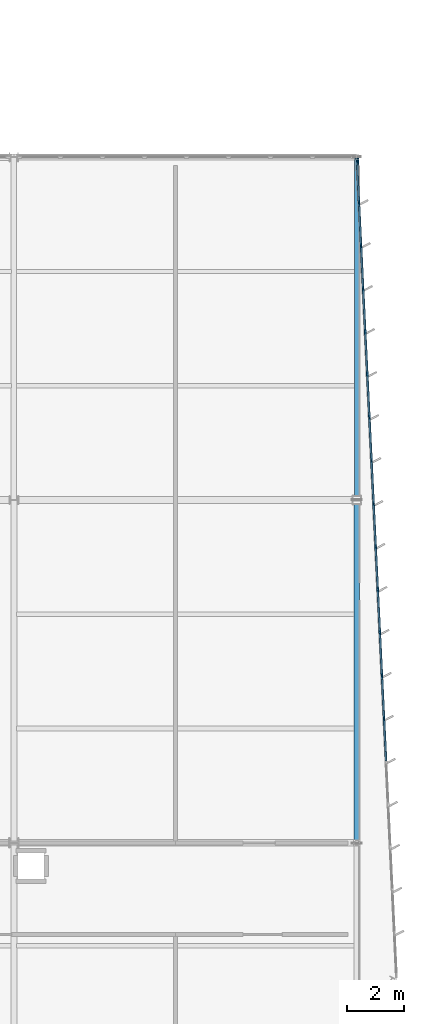
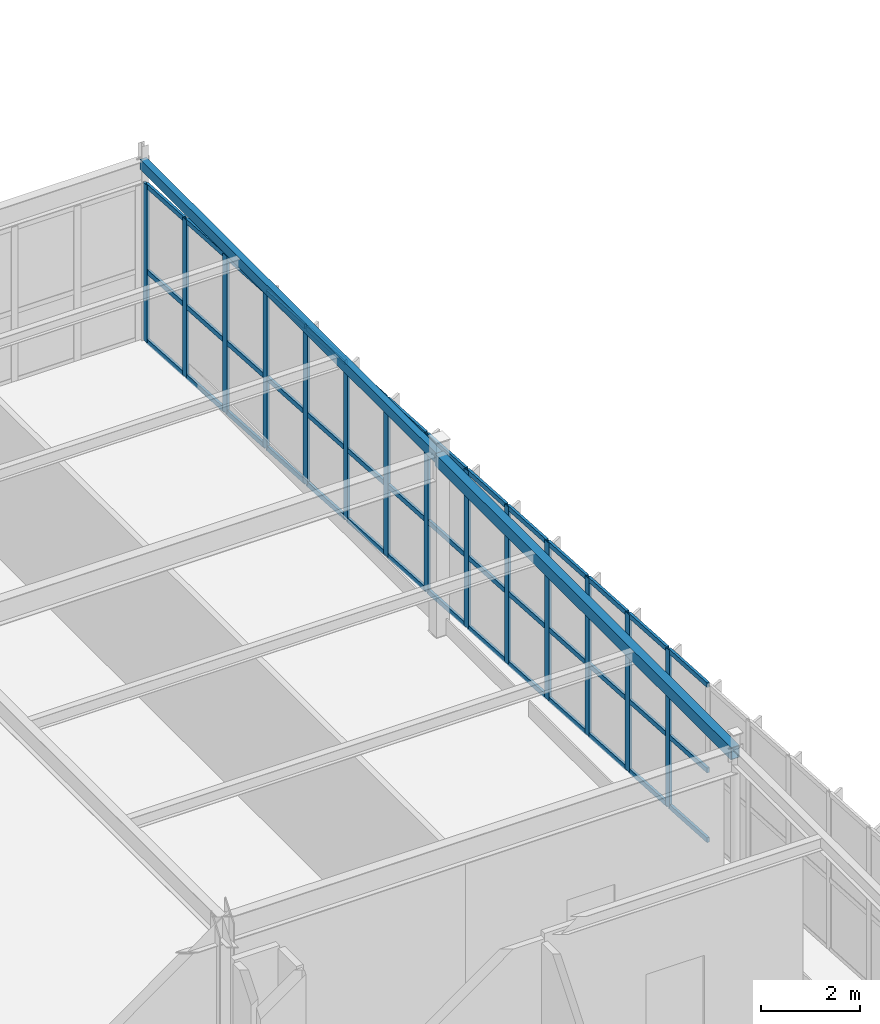
# One storey, part 119 of 226: 56 members, 2 beams, 1 element without a shape of its own.
"""IFC4 building model written with IfcOpenShell, lengths in metres."""

from ifc_helpers import new_model, si_unit, direction, frame, origin, origin_2d, place, context, subcontext, project, spatial, rectangle, hollow_rectangle, extrude, material, layer, layer_set, material_profile, profile_set, type_object, element, aggregate, save


model = new_model("IFC4")

# Units and contexts
model_context = context("Model", 3, precision=1e-05, world=origin(), true_north=direction((0.0, 1.0)))
body_context = subcontext(model_context, "Body", "Model", "MODEL_VIEW")
ifc_project = project(units=[si_unit("LENGTHUNIT", "METRE"), si_unit("AREAUNIT", "SQUARE_METRE"), si_unit("VOLUMEUNIT", "CUBIC_METRE"), si_unit("PLANEANGLEUNIT", "RADIAN"), si_unit("MASSUNIT", "GRAM", prefix="KILO")], contexts=[model_context])

# Site, building, storey
site_placement = place(None, origin())
site = spatial("IfcSite", under=ifc_project, at=site_placement, CompositionType="ELEMENT")
building_placement = place(site_placement, origin())
building = spatial("IfcBuilding", under=site, at=building_placement, Name="Tarnwether General Hospital", CompositionType="ELEMENT")
storey_placement = place(building_placement, frame((0.0, 0.0, 4.800048828125)))
storey = spatial("IfcBuildingStorey", under=building, at=storey_placement, Name="L01", CompositionType="ELEMENT", Elevation=4.800048828125)

# Beams
ifc_material_1 = material(Name="Steel Grade C350L0 (350 MPa)", Category="steel")
ifc_material_profile_1 = material_profile(ifc_material_1, hollow_rectangle(XDim=0.199951171875, YDim=0.300048828125, WallThickness=0.012451171875, at=origin_2d()), Name="RHS300x200x12.5")
ifc_profile_set_1 = profile_set([ifc_material_profile_1], Name="Steel Grade C350L0 (350 MPa)")
beam_type_1 = type_object("IfcBeamType", Name="BM-SP3", PredefinedType="SPANDREL", material=ifc_profile_set_1)
beam_1_placement = place(storey_placement, frame((192.0, 21.60009765625, 4.294921875), z_axis=(0.0, 1.0, 0.0), x_axis=(-1.0, 0.0, 0.0)))
element("IfcBeam", 1, at=beam_1_placement, inside=storey, type_object=beam_type_1, Name="Primary Girder BMG-L01-19200_2160-19200_3360-1285", PredefinedType="SPANDREL", context=body_context, shape_type="SweptSolid", body=[
    extrude(hollow_rectangle(XDim=0.199951171875, YDim=0.300048828125, WallThickness=0.012451171875, at=origin_2d()), origin(), (0.0, 0.0, 1.0), 12.0),
])
ifc_material_2 = material(Name="Steel Grade C350L0 (350 MPa)", Category="steel")
ifc_material_profile_2 = material_profile(ifc_material_2, hollow_rectangle(XDim=0.14990234375, YDim=0.25, WallThickness=0.010009765625, at=origin_2d()), Name="RHS250x150x10")
ifc_profile_set_2 = profile_set([ifc_material_profile_2], Name="Steel Grade C350L0 (350 MPa)")
beam_type_2 = type_object("IfcBeamType", Name="BM-SP4", PredefinedType="SPANDREL", material=ifc_profile_set_2)
beam_2_placement = place(storey_placement, frame((192.0, 33.60009765625, 4.320068359375), z_axis=(0.0, 1.0, 0.0), x_axis=(-1.0, 0.0, 0.0)))
element("IfcBeam", 2, at=beam_2_placement, inside=storey, type_object=beam_type_2, Name="Primary Girder BMG-L01-19200_3360-19200_4560-1286", PredefinedType="SPANDREL", context=body_context, shape_type="SweptSolid", body=[
    extrude(hollow_rectangle(XDim=0.14990234375, YDim=0.25, WallThickness=0.010009765625, at=origin_2d()), origin(), (0.0, 0.0, 1.0), 12.0),
])

# Curtain wall, members
ifc_material_3 = material(Name="Anodised aluminium", Category="aluminium")
ifc_layer = layer(ifc_material_3, 0.159912109375)
ifc_layer_set = layer_set([ifc_layer], Name="Anodised aluminium")
curtain_wall_type = type_object("IfcCurtainWallType", Name="CW-18", PredefinedType="NOTDEFINED", material=ifc_layer_set)
curtain_wall_placement = place(storey_placement, origin())
curtain_wall = element("IfcCurtainWall", 3, at=curtain_wall_placement, inside=storey, type_object=curtain_wall_type, Name="Curtain Wall CWG-L01-1920_455-0387", PredefinedType="NOTDEFINED")
ifc_material_4 = material(Name="Anodised aluminium", Category="aluminium")
ifc_material_profile_3 = material_profile(ifc_material_4, rectangle(XDim=0.06005859375, YDim=0.159912109375, at=origin_2d()), Name="ALU-MUL-60x160")
ifc_profile_set_3 = profile_set([ifc_material_profile_3], Name="Anodised aluminium")
member_type_1 = type_object("IfcMemberType", Name="CW-ML1", PredefinedType="MULLION", material=ifc_profile_set_3)
member_1_placement = place(storey_placement, frame((192.00537109375, 45.47900390625, 0.0), z_axis=(0.0, 0.0, 1.0), x_axis=(0.998819804774, 0.04856951298, 0.0)))
member_1 = element("IfcMember", 4, at=member_1_placement, type_object=member_type_1, Name="CW-18 mullion 1", PredefinedType="MULLION", context=body_context, shape_type="SweptSolid", body=[
    extrude(rectangle(XDim=0.06005859375, YDim=0.159912109375, at=origin_2d()), origin(), (0.0, 0.0, 1.0), 3.89697265625),
])
member_2_placement = place(storey_placement, frame((192.0771484375, 44.004638671875, 0.0), z_axis=(0.0, 0.0, 1.0), x_axis=(0.998819804774, 0.04856951298, 0.0)))
member_2 = element("IfcMember", 5, at=member_2_placement, type_object=member_type_1, Name="CW-18 mullion 2", PredefinedType="MULLION", context=body_context, shape_type="SweptSolid", body=[
    extrude(rectangle(XDim=0.06005859375, YDim=0.159912109375, at=origin_2d()), origin(), (0.0, 0.0, 1.0), 3.89697265625),
])
member_3_placement = place(storey_placement, frame((192.150390625, 42.5, 0.0), z_axis=(0.0, 0.0, 1.0), x_axis=(0.998819804774, 0.04856951298, 0.0)))
member_3 = element("IfcMember", 6, at=member_3_placement, type_object=member_type_1, Name="CW-18 mullion 3", PredefinedType="MULLION", context=body_context, shape_type="SweptSolid", body=[
    extrude(rectangle(XDim=0.06005859375, YDim=0.159912109375, at=origin_2d()), origin(), (0.0, 0.0, 1.0), 3.89697265625),
])
member_4_placement = place(storey_placement, frame((192.223388671875, 40.99560546875, 0.0), z_axis=(0.0, 0.0, 1.0), x_axis=(0.998819804774, 0.04856951298, 0.0)))
member_4 = element("IfcMember", 7, at=member_4_placement, type_object=member_type_1, Name="CW-18 mullion 4", PredefinedType="MULLION", context=body_context, shape_type="SweptSolid", body=[
    extrude(rectangle(XDim=0.06005859375, YDim=0.159912109375, at=origin_2d()), origin(), (0.0, 0.0, 1.0), 3.89697265625),
])
member_5_placement = place(storey_placement, frame((192.296630859375, 39.4912109375, 0.0), z_axis=(0.0, 0.0, 1.0), x_axis=(0.998819804774, 0.04856951298, 0.0)))
member_5 = element("IfcMember", 8, at=member_5_placement, type_object=member_type_1, Name="CW-18 mullion 5", PredefinedType="MULLION", context=body_context, shape_type="SweptSolid", body=[
    extrude(rectangle(XDim=0.06005859375, YDim=0.159912109375, at=origin_2d()), origin(), (0.0, 0.0, 1.0), 3.89697265625),
])
member_6_placement = place(storey_placement, frame((192.369873046875, 37.986572265625, 0.0), z_axis=(0.0, 0.0, 1.0), x_axis=(0.998819804774, 0.04856951298, 0.0)))
member_6 = element("IfcMember", 9, at=member_6_placement, type_object=member_type_1, Name="CW-18 mullion 6", PredefinedType="MULLION", context=body_context, shape_type="SweptSolid", body=[
    extrude(rectangle(XDim=0.06005859375, YDim=0.159912109375, at=origin_2d()), origin(), (0.0, 0.0, 1.0), 3.89697265625),
])
member_7_placement = place(storey_placement, frame((192.44287109375, 36.482177734375, 0.0), z_axis=(0.0, 0.0, 1.0), x_axis=(0.998819804774, 0.04856951298, 0.0)))
member_7 = element("IfcMember", 10, at=member_7_placement, type_object=member_type_1, Name="CW-18 mullion 7", PredefinedType="MULLION", context=body_context, shape_type="SweptSolid", body=[
    extrude(rectangle(XDim=0.06005859375, YDim=0.159912109375, at=origin_2d()), origin(), (0.0, 0.0, 1.0), 3.89697265625),
])
member_8_placement = place(storey_placement, frame((192.51611328125, 34.977783203125, 0.0), z_axis=(0.0, 0.0, 1.0), x_axis=(0.998819804774, 0.04856951298, 0.0)))
member_8 = element("IfcMember", 11, at=member_8_placement, type_object=member_type_1, Name="CW-18 mullion 8", PredefinedType="MULLION", context=body_context, shape_type="SweptSolid", body=[
    extrude(rectangle(XDim=0.06005859375, YDim=0.159912109375, at=origin_2d()), origin(), (0.0, 0.0, 1.0), 3.89697265625),
])
member_9_placement = place(storey_placement, frame((192.58935546875, 33.47314453125, 0.0), z_axis=(0.0, 0.0, 1.0), x_axis=(0.998819804774, 0.04856951298, 0.0)))
member_9 = element("IfcMember", 12, at=member_9_placement, type_object=member_type_1, Name="CW-18 mullion 9", PredefinedType="MULLION", context=body_context, shape_type="SweptSolid", body=[
    extrude(rectangle(XDim=0.06005859375, YDim=0.159912109375, at=origin_2d()), origin(), (0.0, 0.0, 1.0), 3.89697265625),
])
member_10_placement = place(storey_placement, frame((192.662353515625, 31.96875, 0.0), z_axis=(0.0, 0.0, 1.0), x_axis=(0.998819804774, 0.04856951298, 0.0)))
member_10 = element("IfcMember", 13, at=member_10_placement, type_object=member_type_1, Name="CW-18 mullion 10", PredefinedType="MULLION", context=body_context, shape_type="SweptSolid", body=[
    extrude(rectangle(XDim=0.06005859375, YDim=0.159912109375, at=origin_2d()), origin(), (0.0, 0.0, 1.0), 3.89697265625),
])
member_11_placement = place(storey_placement, frame((192.735595703125, 30.46435546875, 0.0), z_axis=(0.0, 0.0, 1.0), x_axis=(0.998819804774, 0.04856951298, 0.0)))
member_11 = element("IfcMember", 14, at=member_11_placement, type_object=member_type_1, Name="CW-18 mullion 11", PredefinedType="MULLION", context=body_context, shape_type="SweptSolid", body=[
    extrude(rectangle(XDim=0.06005859375, YDim=0.159912109375, at=origin_2d()), origin(), (0.0, 0.0, 1.0), 3.89697265625),
])
member_12_placement = place(storey_placement, frame((192.808837890625, 28.959716796875, 0.0), z_axis=(0.0, 0.0, 1.0), x_axis=(0.998819804774, 0.04856951298, 0.0)))
member_12 = element("IfcMember", 15, at=member_12_placement, type_object=member_type_1, Name="CW-18 mullion 12", PredefinedType="MULLION", context=body_context, shape_type="SweptSolid", body=[
    extrude(rectangle(XDim=0.06005859375, YDim=0.159912109375, at=origin_2d()), origin(), (0.0, 0.0, 1.0), 3.89697265625),
])
member_13_placement = place(storey_placement, frame((192.8818359375, 27.455322265625, 0.0), z_axis=(0.0, 0.0, 1.0), x_axis=(0.998819804774, 0.04856951298, 0.0)))
member_13 = element("IfcMember", 16, at=member_13_placement, type_object=member_type_1, Name="CW-18 mullion 13", PredefinedType="MULLION", context=body_context, shape_type="SweptSolid", body=[
    extrude(rectangle(XDim=0.06005859375, YDim=0.159912109375, at=origin_2d()), origin(), (0.0, 0.0, 1.0), 3.89697265625),
])
member_14_placement = place(storey_placement, frame((192.955078125, 25.950927734375, 0.0), z_axis=(0.0, 0.0, 1.0), x_axis=(0.998819804774, 0.04856951298, 0.0)))
member_14 = element("IfcMember", 17, at=member_14_placement, type_object=member_type_1, Name="CW-18 mullion 14", PredefinedType="MULLION", context=body_context, shape_type="SweptSolid", body=[
    extrude(rectangle(XDim=0.06005859375, YDim=0.159912109375, at=origin_2d()), origin(), (0.0, 0.0, 1.0), 3.89697265625),
])
ifc_material_5 = material(Name="Anodised aluminium", Category="aluminium")
ifc_material_profile_4 = material_profile(ifc_material_5, rectangle(XDim=0.06005859375, YDim=0.1201171875, at=origin_2d()), Name="ALU-TRN-60x120")
ifc_profile_set_4 = profile_set([ifc_material_profile_4], Name="Anodised aluminium")
member_type_2 = type_object("IfcMemberType", Name="CW-TR1", PredefinedType="USERDEFINED", material=ifc_profile_set_4)
member_15_placement = place(storey_placement, frame((192.0068359375, 45.448974609375, 0.030029296875), z_axis=(0.048613493541, -0.998817665165, 0.0), x_axis=(0.998817665165, 0.048613493541, 0.0)))
member_15 = element("IfcMember", 18, at=member_15_placement, type_object=member_type_2, Name="CW-18 transom 1.1", ObjectType="TRANSOM", PredefinedType="USERDEFINED", context=body_context, shape_type="SweptSolid", body=[
    extrude(rectangle(XDim=0.06005859375, YDim=0.1201171875, at=origin_2d()), origin(), (0.0, 0.0, 1.0), 1.416259765625),
])
member_16_placement = place(storey_placement, frame((192.0068359375, 45.448974609375, 1.753662109375), z_axis=(0.048613493541, -0.998817665165, 0.0), x_axis=(0.998817665165, 0.048613493541, 0.0)))
member_16 = element("IfcMember", 19, at=member_16_placement, type_object=member_type_2, Name="CW-18 transom 1.2", ObjectType="TRANSOM", PredefinedType="USERDEFINED", context=body_context, shape_type="SweptSolid", body=[
    extrude(rectangle(XDim=0.06005859375, YDim=0.1201171875, at=origin_2d()), origin(), (0.0, 0.0, 1.0), 1.416259765625),
])
member_17_placement = place(storey_placement, frame((192.0068359375, 45.448974609375, 3.866943359375), z_axis=(0.048613493541, -0.998817665165, 0.0), x_axis=(0.998817665165, 0.048613493541, 0.0)))
member_17 = element("IfcMember", 20, at=member_17_placement, type_object=member_type_2, Name="CW-18 transom 1.3", ObjectType="TRANSOM", PredefinedType="USERDEFINED", context=body_context, shape_type="SweptSolid", body=[
    extrude(rectangle(XDim=0.06005859375, YDim=0.1201171875, at=origin_2d()), origin(), (0.0, 0.0, 1.0), 1.416259765625),
])
member_18_placement = place(storey_placement, frame((192.07861328125, 43.974609375, 0.030029296875), z_axis=(0.048615760654, -0.99881755482, 0.0), x_axis=(0.99881755482, 0.048615760654, 0.0)))
member_18 = element("IfcMember", 21, at=member_18_placement, type_object=member_type_2, Name="CW-18 transom 2.1", ObjectType="TRANSOM", PredefinedType="USERDEFINED", context=body_context, shape_type="SweptSolid", body=[
    extrude(rectangle(XDim=0.06005859375, YDim=0.1201171875, at=origin_2d()), origin(), (0.0, 0.0, 1.0), 1.4462890625),
])
member_19_placement = place(storey_placement, frame((192.07861328125, 43.974609375, 1.753662109375), z_axis=(0.048615760654, -0.99881755482, 0.0), x_axis=(0.99881755482, 0.048615760654, 0.0)))
member_19 = element("IfcMember", 22, at=member_19_placement, type_object=member_type_2, Name="CW-18 transom 2.2", ObjectType="TRANSOM", PredefinedType="USERDEFINED", context=body_context, shape_type="SweptSolid", body=[
    extrude(rectangle(XDim=0.06005859375, YDim=0.1201171875, at=origin_2d()), origin(), (0.0, 0.0, 1.0), 1.4462890625),
])
member_20_placement = place(storey_placement, frame((192.07861328125, 43.974609375, 3.866943359375), z_axis=(0.048615760654, -0.99881755482, 0.0), x_axis=(0.99881755482, 0.048615760654, 0.0)))
member_20 = element("IfcMember", 23, at=member_20_placement, type_object=member_type_2, Name="CW-18 transom 2.3", ObjectType="TRANSOM", PredefinedType="USERDEFINED", context=body_context, shape_type="SweptSolid", body=[
    extrude(rectangle(XDim=0.06005859375, YDim=0.1201171875, at=origin_2d()), origin(), (0.0, 0.0, 1.0), 1.4462890625),
])
member_21_placement = place(storey_placement, frame((192.15185546875, 42.469970703125, 0.030029296875), z_axis=(0.048455522809, -0.998825341243, 0.0), x_axis=(0.998825341243, 0.048455522809, 0.0)))
member_21 = element("IfcMember", 24, at=member_21_placement, type_object=member_type_2, Name="CW-18 transom 3.1", ObjectType="TRANSOM", PredefinedType="USERDEFINED", context=body_context, shape_type="SweptSolid", body=[
    extrude(rectangle(XDim=0.06005859375, YDim=0.1201171875, at=origin_2d()), origin(), (0.0, 0.0, 1.0), 1.446044921875),
])
member_22_placement = place(storey_placement, frame((192.15185546875, 42.469970703125, 1.753662109375), z_axis=(0.048455522809, -0.998825341243, 0.0), x_axis=(0.998825341243, 0.048455522809, 0.0)))
member_22 = element("IfcMember", 25, at=member_22_placement, type_object=member_type_2, Name="CW-18 transom 3.2", ObjectType="TRANSOM", PredefinedType="USERDEFINED", context=body_context, shape_type="SweptSolid", body=[
    extrude(rectangle(XDim=0.06005859375, YDim=0.1201171875, at=origin_2d()), origin(), (0.0, 0.0, 1.0), 1.446044921875),
])
member_23_placement = place(storey_placement, frame((192.15185546875, 42.469970703125, 3.866943359375), z_axis=(0.048455522809, -0.998825341243, 0.0), x_axis=(0.998825341243, 0.048455522809, 0.0)))
member_23 = element("IfcMember", 26, at=member_23_placement, type_object=member_type_2, Name="CW-18 transom 3.3", ObjectType="TRANSOM", PredefinedType="USERDEFINED", context=body_context, shape_type="SweptSolid", body=[
    extrude(rectangle(XDim=0.06005859375, YDim=0.1201171875, at=origin_2d()), origin(), (0.0, 0.0, 1.0), 1.446044921875),
])
member_24_placement = place(storey_placement, frame((192.224853515625, 40.965576171875, 0.030029296875), z_axis=(0.048615760654, -0.99881755482, 0.0), x_axis=(0.99881755482, 0.048615760654, 0.0)))
member_24 = element("IfcMember", 27, at=member_24_placement, type_object=member_type_2, Name="CW-18 transom 4.1", ObjectType="TRANSOM", PredefinedType="USERDEFINED", context=body_context, shape_type="SweptSolid", body=[
    extrude(rectangle(XDim=0.06005859375, YDim=0.1201171875, at=origin_2d()), origin(), (0.0, 0.0, 1.0), 1.4462890625),
])
member_25_placement = place(storey_placement, frame((192.224853515625, 40.965576171875, 1.753662109375), z_axis=(0.048615760654, -0.99881755482, 0.0), x_axis=(0.99881755482, 0.048615760654, 0.0)))
member_25 = element("IfcMember", 28, at=member_25_placement, type_object=member_type_2, Name="CW-18 transom 4.2", ObjectType="TRANSOM", PredefinedType="USERDEFINED", context=body_context, shape_type="SweptSolid", body=[
    extrude(rectangle(XDim=0.06005859375, YDim=0.1201171875, at=origin_2d()), origin(), (0.0, 0.0, 1.0), 1.4462890625),
])
member_26_placement = place(storey_placement, frame((192.224853515625, 40.965576171875, 3.866943359375), z_axis=(0.048615760654, -0.99881755482, 0.0), x_axis=(0.99881755482, 0.048615760654, 0.0)))
member_26 = element("IfcMember", 29, at=member_26_placement, type_object=member_type_2, Name="CW-18 transom 4.3", ObjectType="TRANSOM", PredefinedType="USERDEFINED", context=body_context, shape_type="SweptSolid", body=[
    extrude(rectangle(XDim=0.06005859375, YDim=0.1201171875, at=origin_2d()), origin(), (0.0, 0.0, 1.0), 1.4462890625),
])
member_27_placement = place(storey_placement, frame((192.298095703125, 39.461181640625, 0.030029296875), z_axis=(0.048615760654, -0.99881755482, 0.0), x_axis=(0.99881755482, 0.048615760654, 0.0)))
member_27 = element("IfcMember", 30, at=member_27_placement, type_object=member_type_2, Name="CW-18 transom 5.1", ObjectType="TRANSOM", PredefinedType="USERDEFINED", context=body_context, shape_type="SweptSolid", body=[
    extrude(rectangle(XDim=0.06005859375, YDim=0.1201171875, at=origin_2d()), origin(), (0.0, 0.0, 1.0), 1.4462890625),
])
member_28_placement = place(storey_placement, frame((192.298095703125, 39.461181640625, 1.753662109375), z_axis=(0.048615760654, -0.99881755482, 0.0), x_axis=(0.99881755482, 0.048615760654, 0.0)))
member_28 = element("IfcMember", 31, at=member_28_placement, type_object=member_type_2, Name="CW-18 transom 5.2", ObjectType="TRANSOM", PredefinedType="USERDEFINED", context=body_context, shape_type="SweptSolid", body=[
    extrude(rectangle(XDim=0.06005859375, YDim=0.1201171875, at=origin_2d()), origin(), (0.0, 0.0, 1.0), 1.4462890625),
])
member_29_placement = place(storey_placement, frame((192.298095703125, 39.461181640625, 3.866943359375), z_axis=(0.048615760654, -0.99881755482, 0.0), x_axis=(0.99881755482, 0.048615760654, 0.0)))
member_29 = element("IfcMember", 32, at=member_29_placement, type_object=member_type_2, Name="CW-18 transom 5.3", ObjectType="TRANSOM", PredefinedType="USERDEFINED", context=body_context, shape_type="SweptSolid", body=[
    extrude(rectangle(XDim=0.06005859375, YDim=0.1201171875, at=origin_2d()), origin(), (0.0, 0.0, 1.0), 1.4462890625),
])
member_30_placement = place(storey_placement, frame((192.371337890625, 37.956787109375, 0.030029296875), z_axis=(0.048447352827, -0.998825737556, 0.0), x_axis=(0.998825737556, 0.048447352827, 0.0)))
member_30 = element("IfcMember", 33, at=member_30_placement, type_object=member_type_2, Name="CW-18 transom 6.1", ObjectType="TRANSOM", PredefinedType="USERDEFINED", context=body_context, shape_type="SweptSolid", body=[
    extrude(rectangle(XDim=0.06005859375, YDim=0.1201171875, at=origin_2d()), origin(), (0.0, 0.0, 1.0), 1.4462890625),
])
member_31_placement = place(storey_placement, frame((192.371337890625, 37.956787109375, 1.753662109375), z_axis=(0.048447352827, -0.998825737556, 0.0), x_axis=(0.998825737556, 0.048447352827, 0.0)))
member_31 = element("IfcMember", 34, at=member_31_placement, type_object=member_type_2, Name="CW-18 transom 6.2", ObjectType="TRANSOM", PredefinedType="USERDEFINED", context=body_context, shape_type="SweptSolid", body=[
    extrude(rectangle(XDim=0.06005859375, YDim=0.1201171875, at=origin_2d()), origin(), (0.0, 0.0, 1.0), 1.4462890625),
])
member_32_placement = place(storey_placement, frame((192.371337890625, 37.956787109375, 3.866943359375), z_axis=(0.048447352827, -0.998825737556, 0.0), x_axis=(0.998825737556, 0.048447352827, 0.0)))
member_32 = element("IfcMember", 35, at=member_32_placement, type_object=member_type_2, Name="CW-18 transom 6.3", ObjectType="TRANSOM", PredefinedType="USERDEFINED", context=body_context, shape_type="SweptSolid", body=[
    extrude(rectangle(XDim=0.06005859375, YDim=0.1201171875, at=origin_2d()), origin(), (0.0, 0.0, 1.0), 1.4462890625),
])
member_33_placement = place(storey_placement, frame((192.4443359375, 36.4521484375, 0.030029296875), z_axis=(0.048615760654, -0.99881755482, 0.0), x_axis=(0.99881755482, 0.048615760654, 0.0)))
member_33 = element("IfcMember", 36, at=member_33_placement, type_object=member_type_2, Name="CW-18 transom 7.1", ObjectType="TRANSOM", PredefinedType="USERDEFINED", context=body_context, shape_type="SweptSolid", body=[
    extrude(rectangle(XDim=0.06005859375, YDim=0.1201171875, at=origin_2d()), origin(), (0.0, 0.0, 1.0), 1.4462890625),
])
member_34_placement = place(storey_placement, frame((192.4443359375, 36.4521484375, 1.753662109375), z_axis=(0.048615760654, -0.99881755482, 0.0), x_axis=(0.99881755482, 0.048615760654, 0.0)))
member_34 = element("IfcMember", 37, at=member_34_placement, type_object=member_type_2, Name="CW-18 transom 7.2", ObjectType="TRANSOM", PredefinedType="USERDEFINED", context=body_context, shape_type="SweptSolid", body=[
    extrude(rectangle(XDim=0.06005859375, YDim=0.1201171875, at=origin_2d()), origin(), (0.0, 0.0, 1.0), 1.4462890625),
])
member_35_placement = place(storey_placement, frame((192.4443359375, 36.4521484375, 3.866943359375), z_axis=(0.048615760654, -0.99881755482, 0.0), x_axis=(0.99881755482, 0.048615760654, 0.0)))
member_35 = element("IfcMember", 38, at=member_35_placement, type_object=member_type_2, Name="CW-18 transom 7.3", ObjectType="TRANSOM", PredefinedType="USERDEFINED", context=body_context, shape_type="SweptSolid", body=[
    extrude(rectangle(XDim=0.06005859375, YDim=0.1201171875, at=origin_2d()), origin(), (0.0, 0.0, 1.0), 1.4462890625),
])
member_36_placement = place(storey_placement, frame((192.517578125, 34.94775390625, 0.030029296875), z_axis=(0.048615760654, -0.99881755482, 0.0), x_axis=(0.99881755482, 0.048615760654, 0.0)))
member_36 = element("IfcMember", 39, at=member_36_placement, type_object=member_type_2, Name="CW-18 transom 8.1", ObjectType="TRANSOM", PredefinedType="USERDEFINED", context=body_context, shape_type="SweptSolid", body=[
    extrude(rectangle(XDim=0.06005859375, YDim=0.1201171875, at=origin_2d()), origin(), (0.0, 0.0, 1.0), 1.4462890625),
])
member_37_placement = place(storey_placement, frame((192.517578125, 34.94775390625, 1.753662109375), z_axis=(0.048615760654, -0.99881755482, 0.0), x_axis=(0.99881755482, 0.048615760654, 0.0)))
member_37 = element("IfcMember", 40, at=member_37_placement, type_object=member_type_2, Name="CW-18 transom 8.2", ObjectType="TRANSOM", PredefinedType="USERDEFINED", context=body_context, shape_type="SweptSolid", body=[
    extrude(rectangle(XDim=0.06005859375, YDim=0.1201171875, at=origin_2d()), origin(), (0.0, 0.0, 1.0), 1.4462890625),
])
member_38_placement = place(storey_placement, frame((192.517578125, 34.94775390625, 3.866943359375), z_axis=(0.048615760654, -0.99881755482, 0.0), x_axis=(0.99881755482, 0.048615760654, 0.0)))
member_38 = element("IfcMember", 41, at=member_38_placement, type_object=member_type_2, Name="CW-18 transom 8.3", ObjectType="TRANSOM", PredefinedType="USERDEFINED", context=body_context, shape_type="SweptSolid", body=[
    extrude(rectangle(XDim=0.06005859375, YDim=0.1201171875, at=origin_2d()), origin(), (0.0, 0.0, 1.0), 1.4462890625),
])
member_39_placement = place(storey_placement, frame((192.5908203125, 33.443359375, 0.030029296875), z_axis=(0.048447352827, -0.998825737556, 0.0), x_axis=(0.998825737556, 0.048447352827, 0.0)))
member_39 = element("IfcMember", 42, at=member_39_placement, type_object=member_type_2, Name="CW-18 transom 9.1", ObjectType="TRANSOM", PredefinedType="USERDEFINED", context=body_context, shape_type="SweptSolid", body=[
    extrude(rectangle(XDim=0.06005859375, YDim=0.1201171875, at=origin_2d()), origin(), (0.0, 0.0, 1.0), 1.4462890625),
])
member_40_placement = place(storey_placement, frame((192.5908203125, 33.443359375, 1.753662109375), z_axis=(0.048447352827, -0.998825737556, 0.0), x_axis=(0.998825737556, 0.048447352827, 0.0)))
member_40 = element("IfcMember", 43, at=member_40_placement, type_object=member_type_2, Name="CW-18 transom 9.2", ObjectType="TRANSOM", PredefinedType="USERDEFINED", context=body_context, shape_type="SweptSolid", body=[
    extrude(rectangle(XDim=0.06005859375, YDim=0.1201171875, at=origin_2d()), origin(), (0.0, 0.0, 1.0), 1.4462890625),
])
member_41_placement = place(storey_placement, frame((192.5908203125, 33.443359375, 3.866943359375), z_axis=(0.048447352827, -0.998825737556, 0.0), x_axis=(0.998825737556, 0.048447352827, 0.0)))
member_41 = element("IfcMember", 44, at=member_41_placement, type_object=member_type_2, Name="CW-18 transom 9.3", ObjectType="TRANSOM", PredefinedType="USERDEFINED", context=body_context, shape_type="SweptSolid", body=[
    extrude(rectangle(XDim=0.06005859375, YDim=0.1201171875, at=origin_2d()), origin(), (0.0, 0.0, 1.0), 1.4462890625),
])
member_42_placement = place(storey_placement, frame((192.663818359375, 31.938720703125, 0.030029296875), z_axis=(0.048615760654, -0.99881755482, 0.0), x_axis=(0.99881755482, 0.048615760654, 0.0)))
member_42 = element("IfcMember", 45, at=member_42_placement, type_object=member_type_2, Name="CW-18 transom 10.1", ObjectType="TRANSOM", PredefinedType="USERDEFINED", context=body_context, shape_type="SweptSolid", body=[
    extrude(rectangle(XDim=0.06005859375, YDim=0.1201171875, at=origin_2d()), origin(), (0.0, 0.0, 1.0), 1.4462890625),
])
member_43_placement = place(storey_placement, frame((192.663818359375, 31.938720703125, 1.753662109375), z_axis=(0.048615760654, -0.99881755482, 0.0), x_axis=(0.99881755482, 0.048615760654, 0.0)))
member_43 = element("IfcMember", 46, at=member_43_placement, type_object=member_type_2, Name="CW-18 transom 10.2", ObjectType="TRANSOM", PredefinedType="USERDEFINED", context=body_context, shape_type="SweptSolid", body=[
    extrude(rectangle(XDim=0.06005859375, YDim=0.1201171875, at=origin_2d()), origin(), (0.0, 0.0, 1.0), 1.4462890625),
])
member_44_placement = place(storey_placement, frame((192.663818359375, 31.938720703125, 3.866943359375), z_axis=(0.048615760654, -0.99881755482, 0.0), x_axis=(0.99881755482, 0.048615760654, 0.0)))
member_44 = element("IfcMember", 47, at=member_44_placement, type_object=member_type_2, Name="CW-18 transom 10.3", ObjectType="TRANSOM", PredefinedType="USERDEFINED", context=body_context, shape_type="SweptSolid", body=[
    extrude(rectangle(XDim=0.06005859375, YDim=0.1201171875, at=origin_2d()), origin(), (0.0, 0.0, 1.0), 1.4462890625),
])
member_45_placement = place(storey_placement, frame((192.737060546875, 30.434326171875, 0.030029296875), z_axis=(0.048615760654, -0.99881755482, 0.0), x_axis=(0.99881755482, 0.048615760654, 0.0)))
member_45 = element("IfcMember", 48, at=member_45_placement, type_object=member_type_2, Name="CW-18 transom 11.1", ObjectType="TRANSOM", PredefinedType="USERDEFINED", context=body_context, shape_type="SweptSolid", body=[
    extrude(rectangle(XDim=0.06005859375, YDim=0.1201171875, at=origin_2d()), origin(), (0.0, 0.0, 1.0), 1.4462890625),
])
member_46_placement = place(storey_placement, frame((192.737060546875, 30.434326171875, 1.753662109375), z_axis=(0.048615760654, -0.99881755482, 0.0), x_axis=(0.99881755482, 0.048615760654, 0.0)))
member_46 = element("IfcMember", 49, at=member_46_placement, type_object=member_type_2, Name="CW-18 transom 11.2", ObjectType="TRANSOM", PredefinedType="USERDEFINED", context=body_context, shape_type="SweptSolid", body=[
    extrude(rectangle(XDim=0.06005859375, YDim=0.1201171875, at=origin_2d()), origin(), (0.0, 0.0, 1.0), 1.4462890625),
])
member_47_placement = place(storey_placement, frame((192.737060546875, 30.434326171875, 3.866943359375), z_axis=(0.048615760654, -0.99881755482, 0.0), x_axis=(0.99881755482, 0.048615760654, 0.0)))
member_47 = element("IfcMember", 50, at=member_47_placement, type_object=member_type_2, Name="CW-18 transom 11.3", ObjectType="TRANSOM", PredefinedType="USERDEFINED", context=body_context, shape_type="SweptSolid", body=[
    extrude(rectangle(XDim=0.06005859375, YDim=0.1201171875, at=origin_2d()), origin(), (0.0, 0.0, 1.0), 1.4462890625),
])
member_48_placement = place(storey_placement, frame((192.810302734375, 28.929931640625, 0.030029296875), z_axis=(0.048447352827, -0.998825737556, 0.0), x_axis=(0.998825737556, 0.048447352827, 0.0)))
member_48 = element("IfcMember", 51, at=member_48_placement, type_object=member_type_2, Name="CW-18 transom 12.1", ObjectType="TRANSOM", PredefinedType="USERDEFINED", context=body_context, shape_type="SweptSolid", body=[
    extrude(rectangle(XDim=0.06005859375, YDim=0.1201171875, at=origin_2d()), origin(), (0.0, 0.0, 1.0), 1.4462890625),
])
member_49_placement = place(storey_placement, frame((192.810302734375, 28.929931640625, 1.753662109375), z_axis=(0.048447352827, -0.998825737556, 0.0), x_axis=(0.998825737556, 0.048447352827, 0.0)))
member_49 = element("IfcMember", 52, at=member_49_placement, type_object=member_type_2, Name="CW-18 transom 12.2", ObjectType="TRANSOM", PredefinedType="USERDEFINED", context=body_context, shape_type="SweptSolid", body=[
    extrude(rectangle(XDim=0.06005859375, YDim=0.1201171875, at=origin_2d()), origin(), (0.0, 0.0, 1.0), 1.4462890625),
])
member_50_placement = place(storey_placement, frame((192.810302734375, 28.929931640625, 3.866943359375), z_axis=(0.048447352827, -0.998825737556, 0.0), x_axis=(0.998825737556, 0.048447352827, 0.0)))
member_50 = element("IfcMember", 53, at=member_50_placement, type_object=member_type_2, Name="CW-18 transom 12.3", ObjectType="TRANSOM", PredefinedType="USERDEFINED", context=body_context, shape_type="SweptSolid", body=[
    extrude(rectangle(XDim=0.06005859375, YDim=0.1201171875, at=origin_2d()), origin(), (0.0, 0.0, 1.0), 1.4462890625),
])
member_51_placement = place(storey_placement, frame((192.88330078125, 27.42529296875, 0.030029296875), z_axis=(0.048615760654, -0.99881755482, 0.0), x_axis=(0.99881755482, 0.048615760654, 0.0)))
member_51 = element("IfcMember", 54, at=member_51_placement, type_object=member_type_2, Name="CW-18 transom 13.1", ObjectType="TRANSOM", PredefinedType="USERDEFINED", context=body_context, shape_type="SweptSolid", body=[
    extrude(rectangle(XDim=0.06005859375, YDim=0.1201171875, at=origin_2d()), origin(), (0.0, 0.0, 1.0), 1.4462890625),
])
member_52_placement = place(storey_placement, frame((192.88330078125, 27.42529296875, 1.753662109375), z_axis=(0.048615760654, -0.99881755482, 0.0), x_axis=(0.99881755482, 0.048615760654, 0.0)))
member_52 = element("IfcMember", 55, at=member_52_placement, type_object=member_type_2, Name="CW-18 transom 13.2", ObjectType="TRANSOM", PredefinedType="USERDEFINED", context=body_context, shape_type="SweptSolid", body=[
    extrude(rectangle(XDim=0.06005859375, YDim=0.1201171875, at=origin_2d()), origin(), (0.0, 0.0, 1.0), 1.4462890625),
])
member_53_placement = place(storey_placement, frame((192.88330078125, 27.42529296875, 3.866943359375), z_axis=(0.048615760654, -0.99881755482, 0.0), x_axis=(0.99881755482, 0.048615760654, 0.0)))
member_53 = element("IfcMember", 56, at=member_53_placement, type_object=member_type_2, Name="CW-18 transom 13.3", ObjectType="TRANSOM", PredefinedType="USERDEFINED", context=body_context, shape_type="SweptSolid", body=[
    extrude(rectangle(XDim=0.06005859375, YDim=0.1201171875, at=origin_2d()), origin(), (0.0, 0.0, 1.0), 1.4462890625),
])
member_54_placement = place(storey_placement, frame((192.95654296875, 25.9208984375, 0.030029296875), z_axis=(0.048615760654, -0.99881755482, 0.0), x_axis=(0.99881755482, 0.048615760654, 0.0)))
member_54 = element("IfcMember", 57, at=member_54_placement, type_object=member_type_2, Name="CW-18 transom 14.1", ObjectType="TRANSOM", PredefinedType="USERDEFINED", context=body_context, shape_type="SweptSolid", body=[
    extrude(rectangle(XDim=0.06005859375, YDim=0.1201171875, at=origin_2d()), origin(), (0.0, 0.0, 1.0), 1.4462890625),
])
member_55_placement = place(storey_placement, frame((192.95654296875, 25.9208984375, 1.753662109375), z_axis=(0.048615760654, -0.99881755482, 0.0), x_axis=(0.99881755482, 0.048615760654, 0.0)))
member_55 = element("IfcMember", 58, at=member_55_placement, type_object=member_type_2, Name="CW-18 transom 14.2", ObjectType="TRANSOM", PredefinedType="USERDEFINED", context=body_context, shape_type="SweptSolid", body=[
    extrude(rectangle(XDim=0.06005859375, YDim=0.1201171875, at=origin_2d()), origin(), (0.0, 0.0, 1.0), 1.4462890625),
])
member_56_placement = place(storey_placement, frame((192.95654296875, 25.9208984375, 3.866943359375), z_axis=(0.048615760654, -0.99881755482, 0.0), x_axis=(0.99881755482, 0.048615760654, 0.0)))
member_56 = element("IfcMember", 59, at=member_56_placement, type_object=member_type_2, Name="CW-18 transom 14.3", ObjectType="TRANSOM", PredefinedType="USERDEFINED", context=body_context, shape_type="SweptSolid", body=[
    extrude(rectangle(XDim=0.06005859375, YDim=0.1201171875, at=origin_2d()), origin(), (0.0, 0.0, 1.0), 1.4462890625),
])
aggregate(curtain_wall, [member_1, member_2, member_3, member_4, member_5, member_6, member_7, member_8, member_9, member_10, member_11, member_12, member_13, member_14, member_15, member_16, member_17, member_18, member_19, member_20, member_21, member_22, member_23, member_24, member_25, member_26, member_27, member_28, member_29, member_30, member_31, member_32, member_33, member_34, member_35, member_36, member_37, member_38, member_39, member_40, member_41, member_42, member_43, member_44, member_45, member_46, member_47, member_48, member_49, member_50, member_51, member_52, member_53, member_54, member_55, member_56])

save(model, "model.ifc")
